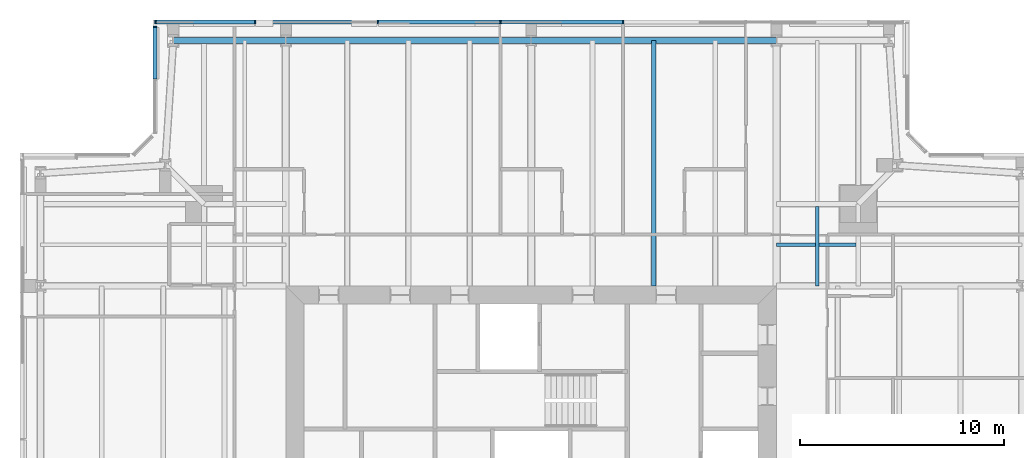
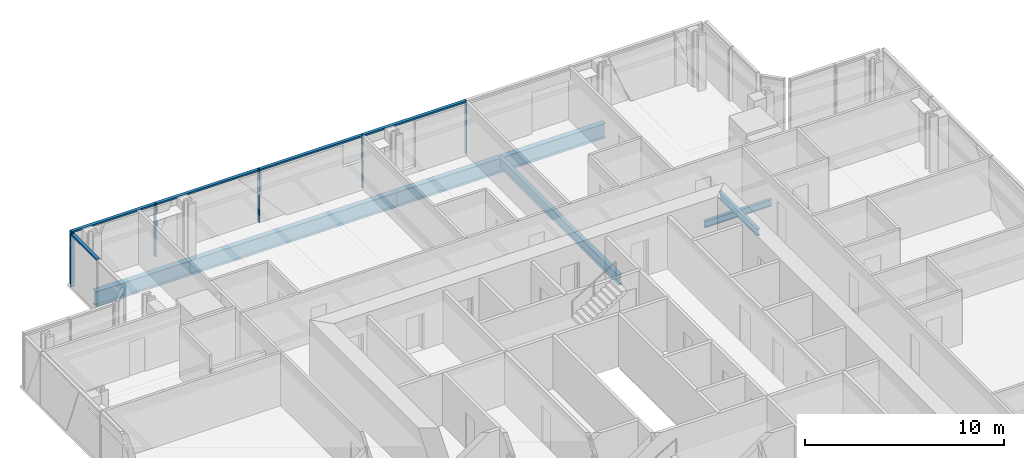
# One storey, part 8 of 20: 11 members, 7 beams, 2 elements without a shape of their own.
"""IFC4 building model written with IfcOpenShell, lengths in metres."""

from ifc_helpers import new_model, si_unit, direction, frame, origin, origin_2d, place, context, subcontext, project, spatial, rectangle, i_section, extrude, material, material_profile, profile_set, type_object, element, aggregate, save


model = new_model("IFC4")

# Units and contexts
model_context = context("Model", 3, precision=1e-05, world=origin(), true_north=direction((0.0, 1.0)))
body_context = subcontext(model_context, "Body", "Model", "MODEL_VIEW")
ifc_project = project(units=[si_unit("LENGTHUNIT", "METRE"), si_unit("AREAUNIT", "SQUARE_METRE"), si_unit("VOLUMEUNIT", "CUBIC_METRE"), si_unit("PLANEANGLEUNIT", "RADIAN"), si_unit("MASSUNIT", "GRAM", prefix="KILO")], contexts=[model_context])

# Site, building, storey
site_placement = place(None, origin())
site = spatial("IfcSite", under=ifc_project, at=site_placement, CompositionType="ELEMENT")
building_placement = place(site_placement, origin())
building = spatial("IfcBuilding", under=site, at=building_placement, Name="Fenwick Lantern Interchange", CompositionType="ELEMENT")
storey_placement = place(building_placement, frame((0.0, 0.0, 286.60009765625)))
storey = spatial("IfcBuildingStorey", under=building, at=storey_placement, Name="L69", CompositionType="ELEMENT", Elevation=286.60009765625)

# Beams
ifc_material_1 = material(Name="Steel ASTM A992 Grade 50", Category="steel")
ifc_material_profile_1 = material_profile(ifc_material_1, i_section(OverallWidth=0.3046875, OverallDepth=0.911865234375, WebThickness=0.015869140625, FlangeThickness=0.02392578125, at=origin_2d()), Name="W36X150")
ifc_profile_set_1 = profile_set([ifc_material_profile_1], Name="Steel ASTM A992 Grade 50")
beam_type_1 = type_object("IfcBeamType", Name="EDGE BEAM W36X150", PredefinedType="SPANDREL", material=ifc_profile_set_1)
for number, where, z_axis, x_axis, name in (
    (1, (37.0, 49.0, -0.60595703125), (-1.0, 0.0, 0.0), (0.0, -1.0, 0.0), "L69/FR/N/EB2"),
    (2, (25.0, 49.0, -0.60595703125), (-1.0, 0.0, 0.0), (0.0, -1.0, 0.0), "L69/FR/N/EB3"),
):
    element("IfcBeam", number, at=place(storey_placement, frame(where, z_axis=z_axis, x_axis=x_axis)), inside=storey, type_object=beam_type_1, Name=name, PredefinedType="SPANDREL", context=body_context, shape_type="SweptSolid", body=[
        extrude(i_section(OverallWidth=0.3046875, OverallDepth=0.911865234375, WebThickness=0.015869140625, FlangeThickness=0.02392578125, at=origin_2d()), origin(), (0.0, 0.0, 1.0), 12.0),
    ])
beam_1_placement = place(storey_placement, frame((13.0, 49.0, -0.60595703125), z_axis=(-1.0, 0.0, 0.0), x_axis=(0.0, -1.0, 0.0)))
element("IfcBeam", 3, at=beam_1_placement, inside=storey, type_object=beam_type_1, Name="L69/FR/N/EB4", PredefinedType="SPANDREL", context=body_context, shape_type="SweptSolid", body=[
    extrude(i_section(OverallWidth=0.3046875, OverallDepth=0.911865234375, WebThickness=0.015869140625, FlangeThickness=0.02392578125, at=origin_2d()), origin(), (0.0, 0.0, 1.0), 5.5),
])
ifc_material_profile_2 = material_profile(ifc_material_1, i_section(OverallWidth=0.22900390625, OverallDepth=0.612060546875, WebThickness=0.011962890625, FlangeThickness=0.01953125, at=origin_2d()), Name="W24X84")
ifc_profile_set_2 = profile_set([ifc_material_profile_2], Name="Steel ASTM A992 Grade 50")
beam_type_2 = type_object("IfcBeamType", Name="FLOOR BEAM W24X84", PredefinedType="BEAM", material=ifc_profile_set_2)
beam_2_placement = place(storey_placement, frame((31.0, 49.0, -0.4560546875), z_axis=(0.0, -1.0, 0.0), x_axis=(1.0, 0.0, 0.0)))
element("IfcBeam", 4, at=beam_2_placement, inside=storey, type_object=beam_type_2, Name="L69/FR/N/R03", PredefinedType="BEAM", context=body_context, shape_type="SweptSolid", body=[
    extrude(i_section(OverallWidth=0.22900390625, OverallDepth=0.612060546875, WebThickness=0.011962890625, FlangeThickness=0.01953125, at=origin_2d()), origin(), (0.0, 0.0, 1.0), 12.0),
])

# Curtain wall, members
ifc_material_2 = material(Name="Aluminium curtain wall frame", Category="aluminium")
curtain_wall_type = type_object("IfcCurtainWallType", Name="HOTEL CURTAIN WALL", PredefinedType="USERDEFINED", material=ifc_material_2)
curtain_wall_1_placement = place(storey_placement, origin())
curtain_wall_1 = element("IfcCurtainWall", 5, at=curtain_wall_1_placement, inside=storey, type_object=curtain_wall_type, Name="Hotel curtain wall 09", ObjectType="HOTEL CURTAIN WALL", PredefinedType="USERDEFINED")
ifc_material_3 = material(Name="Aluminium extrusion", Category="aluminium")
ifc_material_profile_3 = material_profile(ifc_material_3, rectangle(XDim=0.179931640625, YDim=0.06005859375, at=origin_2d()), Name="HOTEL CURTAIN WALL MULLION 60 X 180")
ifc_profile_set_3 = profile_set([ifc_material_profile_3], Name="Aluminium extrusion")
member_type_1 = type_object("IfcMemberType", Name="HOTEL CURTAIN WALL MULLION 60 X 180", PredefinedType="MULLION", material=ifc_profile_set_3)
member_1_placement = place(storey_placement, frame((29.5, 49.89990234375, 0.0), z_axis=(0.0, 0.0, 1.0), x_axis=(0.0, -1.0, 0.0)))
member_1 = element("IfcMember", 6, at=member_1_placement, type_object=member_type_1, Name="L69/CW/09/M03", PredefinedType="MULLION", context=body_context, shape_type="SweptSolid", body=[
    extrude(rectangle(XDim=0.179931640625, YDim=0.06005859375, at=origin_2d()), origin(), (0.0, 0.0, 1.0), 3.25),
])
member_2_placement = place(storey_placement, frame((23.5, 49.89990234375, 0.0), z_axis=(0.0, 0.0, 1.0), x_axis=(0.0, -1.0, 0.0)))
member_2 = element("IfcMember", 7, at=member_2_placement, type_object=member_type_1, Name="L69/CW/09/M04", PredefinedType="MULLION", context=body_context, shape_type="SweptSolid", body=[
    extrude(rectangle(XDim=0.179931640625, YDim=0.06005859375, at=origin_2d()), origin(), (0.0, 0.0, 1.0), 3.25),
])
member_3_placement = place(storey_placement, frame((17.5, 49.89990234375, 0.0), z_axis=(0.0, 0.0, 1.0), x_axis=(0.0, -1.0, 0.0)))
member_3 = element("IfcMember", 8, at=member_3_placement, type_object=member_type_1, Name="L69/CW/09/M05", PredefinedType="MULLION", context=body_context, shape_type="SweptSolid", body=[
    extrude(rectangle(XDim=0.179931640625, YDim=0.06005859375, at=origin_2d()), origin(), (0.0, 0.0, 1.0), 3.25),
])
member_4_placement = place(storey_placement, frame((11.5, 49.89990234375, 0.0), z_axis=(0.0, 0.0, 1.0), x_axis=(0.0, -1.0, 0.0)))
member_4 = element("IfcMember", 9, at=member_4_placement, type_object=member_type_1, Name="L69/CW/09/M06", PredefinedType="MULLION", context=body_context, shape_type="SweptSolid", body=[
    extrude(rectangle(XDim=0.179931640625, YDim=0.06005859375, at=origin_2d()), origin(), (0.0, 0.0, 1.0), 3.25),
])
member_5_placement = place(storey_placement, frame((6.6298828125, 49.89990234375, 0.0), z_axis=(0.0, 0.0, 1.0), x_axis=(0.0, -1.0, 0.0)))
member_5 = element("IfcMember", 10, at=member_5_placement, type_object=member_type_1, Name="L69/CW/09/M07", PredefinedType="MULLION", context=body_context, shape_type="SweptSolid", body=[
    extrude(rectangle(XDim=0.179931640625, YDim=0.06005859375, at=origin_2d()), origin(), (0.0, 0.0, 1.0), 3.25),
])

# Curtain wall, member
curtain_wall_2_placement = place(storey_placement, origin())
curtain_wall_2 = element("IfcCurtainWall", 11, at=curtain_wall_2_placement, inside=storey, type_object=curtain_wall_type, Name="Hotel curtain wall 10", ObjectType="HOTEL CURTAIN WALL", PredefinedType="USERDEFINED")
member_6_placement = place(storey_placement, frame((6.60009765625, 49.669921875, 0.0), z_axis=(0.0, 0.0, 1.0), x_axis=(1.0, 0.0, 0.0)))
member_6 = element("IfcMember", 12, at=member_6_placement, type_object=member_type_1, Name="L69/CW/10/M00", PredefinedType="MULLION", context=body_context, shape_type="SweptSolid", body=[
    extrude(rectangle(XDim=0.179931640625, YDim=0.06005859375, at=origin_2d()), origin(), (0.0, 0.0, 1.0), 3.25),
])

# Member
ifc_material_profile_4 = material_profile(ifc_material_3, rectangle(XDim=0.179931640625, YDim=0.10009765625, at=origin_2d()), Name="HOTEL CURTAIN WALL TRANSOM 100 X 180")
ifc_profile_set_4 = profile_set([ifc_material_profile_4], Name="Aluminium extrusion")
member_type_2 = type_object("IfcMemberType", Name="HOTEL CURTAIN WALL TRANSOM 100 X 180", PredefinedType="MULLION", material=ifc_profile_set_4)
member_7_placement = place(storey_placement, frame((29.469970703125, 49.89990234375, 3.199951171875), z_axis=(-1.0, 0.0, 0.0), x_axis=(0.0, -1.0, 0.0)))
member_7 = element("IfcMember", 13, at=member_7_placement, type_object=member_type_2, Name="L69/CW/09/T03", PredefinedType="MULLION", context=body_context, shape_type="SweptSolid", body=[
    extrude(rectangle(XDim=0.179931640625, YDim=0.10009765625, at=origin_2d()), origin(), (0.0, 0.0, 1.0), 5.93994140625),
])

member_8_placement = place(storey_placement, frame((23.469970703125, 49.89990234375, 3.199951171875), z_axis=(-1.0, 0.0, 0.0), x_axis=(0.0, -1.0, 0.0)))
member_8 = element("IfcMember", 14, at=member_8_placement, type_object=member_type_2, Name="L69/CW/09/T04", PredefinedType="MULLION", context=body_context, shape_type="SweptSolid", body=[
    extrude(rectangle(XDim=0.179931640625, YDim=0.10009765625, at=origin_2d()), origin(), (0.0, 0.0, 1.0), 5.93994140625),
])

member_9_placement = place(storey_placement, frame((17.469970703125, 49.89990234375, 3.199951171875), z_axis=(-1.0, 0.0, 0.0), x_axis=(0.0, -1.0, 0.0)))
member_9 = element("IfcMember", 15, at=member_9_placement, type_object=member_type_2, Name="L69/CW/09/T05", PredefinedType="MULLION", context=body_context, shape_type="SweptSolid", body=[
    extrude(rectangle(XDim=0.179931640625, YDim=0.10009765625, at=origin_2d()), origin(), (0.0, 0.0, 1.0), 5.93994140625),
])

member_10_placement = place(storey_placement, frame((11.469970703125, 49.89990234375, 3.199951171875), z_axis=(-1.0, 0.0, 0.0), x_axis=(0.0, -1.0, 0.0)))
member_10 = element("IfcMember", 16, at=member_10_placement, type_object=member_type_2, Name="L69/CW/09/T06", PredefinedType="MULLION", context=body_context, shape_type="SweptSolid", body=[
    extrude(rectangle(XDim=0.179931640625, YDim=0.10009765625, at=origin_2d()), origin(), (0.0, 0.0, 1.0), 4.81005859375),
])

aggregate(curtain_wall_1, [member_1, member_2, member_3, member_4, member_5, member_7, member_8, member_9, member_10])

member_11_placement = place(storey_placement, frame((6.60009765625, 49.639892578125, 3.199951171875), z_axis=(0.0, -1.0, 0.0), x_axis=(1.0, 0.0, 0.0)))
member_11 = element("IfcMember", 17, at=member_11_placement, type_object=member_type_2, Name="L69/CW/10/T00", PredefinedType="MULLION", context=body_context, shape_type="SweptSolid", body=[
    extrude(rectangle(XDim=0.179931640625, YDim=0.10009765625, at=origin_2d()), origin(), (0.0, 0.0, 1.0), 2.530517578125),
])

aggregate(curtain_wall_2, [member_6, member_11])

# Beams
ifc_material_profile_5 = material_profile(ifc_material_1, i_section(OverallWidth=0.177734375, OverallDepth=0.406494140625, WebThickness=0.0078125, FlangeThickness=0.012939453125, at=origin_2d()), Name="W16X40")
ifc_profile_set_5 = profile_set([ifc_material_profile_5], Name="Steel ASTM A992 Grade 50")
beam_type_3 = type_object("IfcBeamType", Name="INFILL BEAM W16X40", PredefinedType="JOIST", material=ifc_profile_set_5)
beam_3_placement = place(storey_placement, frame((39.0, 40.885498046875, -0.353271484375), z_axis=(0.0, -1.0, 0.0), x_axis=(1.0, 0.0, 0.0)))
element("IfcBeam", 18, at=beam_3_placement, inside=storey, type_object=beam_type_3, Name="L69/FR/N/J2", PredefinedType="JOIST", context=body_context, shape_type="SweptSolid", body=[
    extrude(i_section(OverallWidth=0.177734375, OverallDepth=0.406494140625, WebThickness=0.0078125, FlangeThickness=0.012939453125, at=origin_2d()), origin(), (0.0, 0.0, 1.0), 3.885498046875),
])
beam_4_placement = place(storey_placement, frame((40.885498046875, 39.0, -0.353271484375), z_axis=(-1.0, 0.0, 0.0), x_axis=(0.0, -1.0, 0.0)))
element("IfcBeam", 19, at=beam_4_placement, inside=storey, type_object=beam_type_3, Name="L69/FR/N/J4", PredefinedType="JOIST", context=body_context, shape_type="SweptSolid", body=[
    extrude(i_section(OverallWidth=0.177734375, OverallDepth=0.406494140625, WebThickness=0.0078125, FlangeThickness=0.012939453125, at=origin_2d()), origin(), (0.0, 0.0, 1.0), 1.796630859375),
])
beam_5_placement = place(storey_placement, frame((38.9111328125, 39.0, -0.353271484375), z_axis=(-1.0, 0.0, 0.0), x_axis=(0.0, -1.0, 0.0)))
element("IfcBeam", 20, at=beam_5_placement, inside=storey, type_object=beam_type_3, Name="L69/FR/N/J5", PredefinedType="JOIST", context=body_context, shape_type="SweptSolid", body=[
    extrude(i_section(OverallWidth=0.177734375, OverallDepth=0.406494140625, WebThickness=0.0078125, FlangeThickness=0.012939453125, at=origin_2d()), origin(), (0.0, 0.0, 1.0), 1.9111328125),
])

save(model, "model.ifc")
